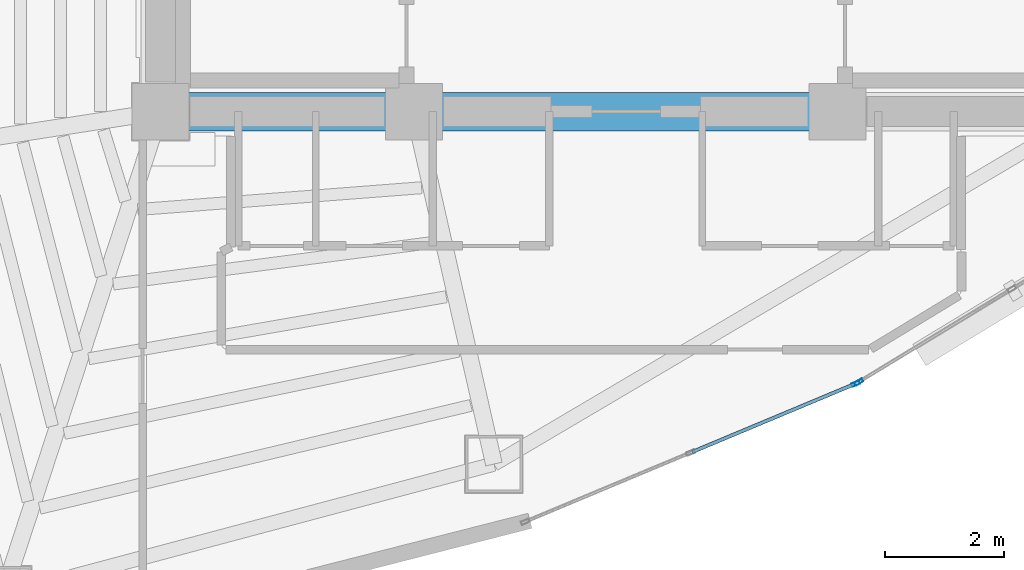
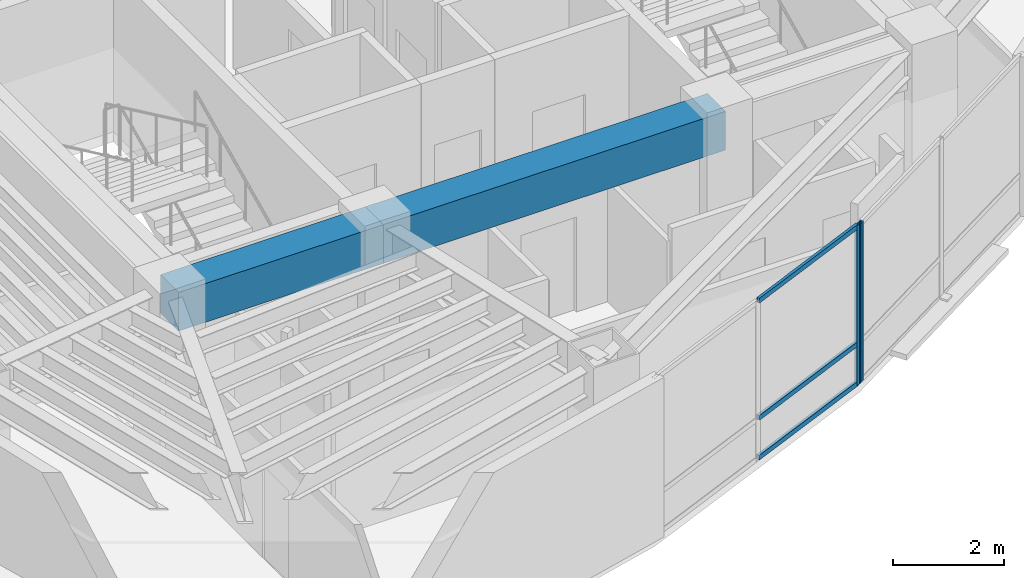
# One storey, part 4 of 15: 5 members, 2 beams, 2 elements without a shape of their own.
"""IFC4 building model written with IfcOpenShell, lengths in metres."""

from ifc_helpers import new_model, si_unit, direction, frame, origin, origin_2d, place, context, subcontext, project, spatial, rectangle, hollow_rectangle, extrude, material, layer, layer_set, material_profile, profile_set, type_object, element, aggregate, save


model = new_model("IFC4")

# Units and contexts
model_context = context("Model", 3, precision=1e-05, world=origin(), true_north=direction((0.0, 1.0)))
body_context = subcontext(model_context, "Body", "Model", "MODEL_VIEW")
ifc_project = project(units=[si_unit("LENGTHUNIT", "METRE"), si_unit("AREAUNIT", "SQUARE_METRE"), si_unit("VOLUMEUNIT", "CUBIC_METRE"), si_unit("PLANEANGLEUNIT", "RADIAN"), si_unit("MASSUNIT", "GRAM", prefix="KILO")], contexts=[model_context])

# Site, building, storey
site_placement = place(None, origin())
site = spatial("IfcSite", under=ifc_project, at=site_placement, CompositionType="ELEMENT")
building_placement = place(site_placement, origin())
building = spatial("IfcBuilding", under=site, at=building_placement, Name="Menara Vayukalpa", CompositionType="ELEMENT")
storey_placement = place(building_placement, frame((0.0, 0.0, 184.080078125)))
storey = spatial("IfcBuildingStorey", under=building, at=storey_placement, Name="L46", CompositionType="ELEMENT", Elevation=184.080078125)

# Beams
ifc_material_1 = material(Name="Concrete C60/75", Category="concrete")
ifc_material_profile_1 = material_profile(ifc_material_1, rectangle(XDim=0.64990234375, YDim=0.85009765625, at=origin_2d()), Name="RC 650x850")
ifc_profile_set_1 = profile_set([ifc_material_profile_1], Name="Concrete C60/75")
beam_type = type_object("IfcBeamType", Name="BM-CB1", PredefinedType="BEAM", material=ifc_profile_set_1)
beam_1_placement = place(storey_placement, frame((17.800048828125, 17.199951171875, 3.074951171875), z_axis=(1.0, 0.0, 0.0), x_axis=(0.0, 1.0, 0.0)))
element("IfcBeam", 1, at=beam_1_placement, inside=storey, type_object=beam_type, Name="L46 Core Tie Beam CBR1", PredefinedType="BEAM", context=body_context, shape_type="SweptSolid", body=[
    extrude(rectangle(XDim=0.64990234375, YDim=0.85009765625, at=origin_2d()), origin(), (0.0, 0.0, 1.0), 4.25),
])
beam_2_placement = place(storey_placement, frame((22.050048828125, 17.199951171875, 3.074951171875), z_axis=(1.0, 0.0, 0.0), x_axis=(0.0, 1.0, 0.0)))
element("IfcBeam", 2, at=beam_2_placement, inside=storey, type_object=beam_type, Name="L46 Core Tie Beam CBR2", PredefinedType="BEAM", context=body_context, shape_type="SweptSolid", body=[
    extrude(rectangle(XDim=0.64990234375, YDim=0.85009765625, at=origin_2d()), origin(), (0.0, 0.0, 1.0), 7.099853515625),
])

# Curtain wall, member
ifc_material_2 = material(Name="Anodised Terracotta Aluminium Alloy 6063-T6", Category="masonry")
ifc_layer = layer(ifc_material_2, 0.139892578125)
ifc_layer_set = layer_set([ifc_layer], Name="Anodised Terracotta Aluminium Alloy 6063-T6")
curtain_wall_type = type_object("IfcCurtainWallType", Name="CW-CW5", PredefinedType="USERDEFINED", material=ifc_layer_set)
curtain_wall_1_placement = place(storey_placement, origin())
curtain_wall_1 = element("IfcCurtainWall", 3, at=curtain_wall_1_placement, inside=storey, type_object=curtain_wall_type, Name="L46 High Rise Tapered Curtain Wall CW5 16", ObjectType="UNITISED", PredefinedType="USERDEFINED")
ifc_material_3 = material(Name="Anodised Terracotta Aluminium Alloy 6063-T6", Category="masonry")
ifc_material_profile_2 = material_profile(ifc_material_3, hollow_rectangle(XDim=0.06005859375, YDim=0.139892578125, WallThickness=0.00341796875, at=origin_2d()), Name="ALU 60x140x3.5")
ifc_profile_set_2 = profile_set([ifc_material_profile_2], Name="Anodised Terracotta Aluminium Alloy 6063-T6")
member_type_1 = type_object("IfcMemberType", Name="CWM-CW5", PredefinedType="MULLION", material=ifc_profile_set_2)
member_1_placement = place(storey_placement, frame((29.4560546875, 12.640380859375, 0.0), z_axis=(0.0, 0.0, 1.0), x_axis=(-0.385902834406, 0.922539431351, 0.0)))
member_1 = element("IfcMember", 4, at=member_1_placement, type_object=member_type_1, Name="CW5 mullion 3", PredefinedType="MULLION", context=body_context, shape_type="SweptSolid", body=[
    extrude(hollow_rectangle(XDim=0.06005859375, YDim=0.139892578125, WallThickness=0.00341796875, at=origin_2d()), origin(), (0.0, 0.0, 1.0), 3.5),
])

curtain_wall_2_placement = place(storey_placement, origin())
curtain_wall_2 = element("IfcCurtainWall", 5, at=curtain_wall_2_placement, inside=storey, type_object=curtain_wall_type, Name="L46 High Rise Tapered Curtain Wall CW5 17", ObjectType="UNITISED", PredefinedType="USERDEFINED")
member_2_placement = place(storey_placement, frame((29.509521484375, 12.66748046875, 0.0), z_axis=(0.0, 0.0, 1.0), x_axis=(-0.519179911779, 0.854664974832, 0.0)))
member_2 = element("IfcMember", 6, at=member_2_placement, type_object=member_type_1, Name="CW5 mullion 1", PredefinedType="MULLION", context=body_context, shape_type="SweptSolid", body=[
    extrude(hollow_rectangle(XDim=0.06005859375, YDim=0.139892578125, WallThickness=0.00341796875, at=origin_2d()), origin(), (0.0, 0.0, 1.0), 3.5),
])
aggregate(curtain_wall_2, [member_2])

# Member
ifc_material_4 = material(Name="Anodised Terracotta Aluminium Alloy 6063-T6", Category="masonry")
ifc_material_profile_3 = material_profile(ifc_material_4, hollow_rectangle(XDim=0.06005859375, YDim=0.10498046875, WallThickness=0.0029296875, at=origin_2d()), Name="ALU 60x105x3")
ifc_profile_set_3 = profile_set([ifc_material_profile_3], Name="Anodised Terracotta Aluminium Alloy 6063-T6")
member_type_2 = type_object("IfcMemberType", Name="CWT-CW5", PredefinedType="USERDEFINED", material=ifc_profile_set_3)
member_3_placement = place(storey_placement, frame((26.7138671875, 11.4931640625, 0.030029296875), z_axis=(0.922543360613, 0.385893440976, 0.0), x_axis=(-0.385893440976, 0.922543360613, 0.0)))
member_3 = element("IfcMember", 7, at=member_3_placement, type_object=member_type_2, Name="CW5 transom 2.1", ObjectType="TRANSOM", PredefinedType="USERDEFINED", context=body_context, shape_type="SweptSolid", body=[
    extrude(hollow_rectangle(XDim=0.06005859375, YDim=0.10498046875, WallThickness=0.0029296875, at=origin_2d()), origin(), (0.0, 0.0, 1.0), 2.942626953125),
])

member_4_placement = place(storey_placement, frame((26.7138671875, 11.4931640625, 0.89990234375), z_axis=(0.922543360613, 0.385893440976, 0.0), x_axis=(-0.385893440976, 0.922543360613, 0.0)))
member_4 = element("IfcMember", 8, at=member_4_placement, type_object=member_type_2, Name="CW5 transom 2.2", ObjectType="TRANSOM", PredefinedType="USERDEFINED", context=body_context, shape_type="SweptSolid", body=[
    extrude(hollow_rectangle(XDim=0.06005859375, YDim=0.10498046875, WallThickness=0.0029296875, at=origin_2d()), origin(), (0.0, 0.0, 1.0), 2.942626953125),
])

member_5_placement = place(storey_placement, frame((26.7138671875, 11.4931640625, 3.469970703125), z_axis=(0.922543360613, 0.385893440976, 0.0), x_axis=(-0.385893440976, 0.922543360613, 0.0)))
member_5 = element("IfcMember", 9, at=member_5_placement, type_object=member_type_2, Name="CW5 transom 2.3", ObjectType="TRANSOM", PredefinedType="USERDEFINED", context=body_context, shape_type="SweptSolid", body=[
    extrude(hollow_rectangle(XDim=0.06005859375, YDim=0.10498046875, WallThickness=0.0029296875, at=origin_2d()), origin(), (0.0, 0.0, 1.0), 2.942626953125),
])

aggregate(curtain_wall_1, [member_1, member_3, member_4, member_5])

save(model, "model.ifc")
